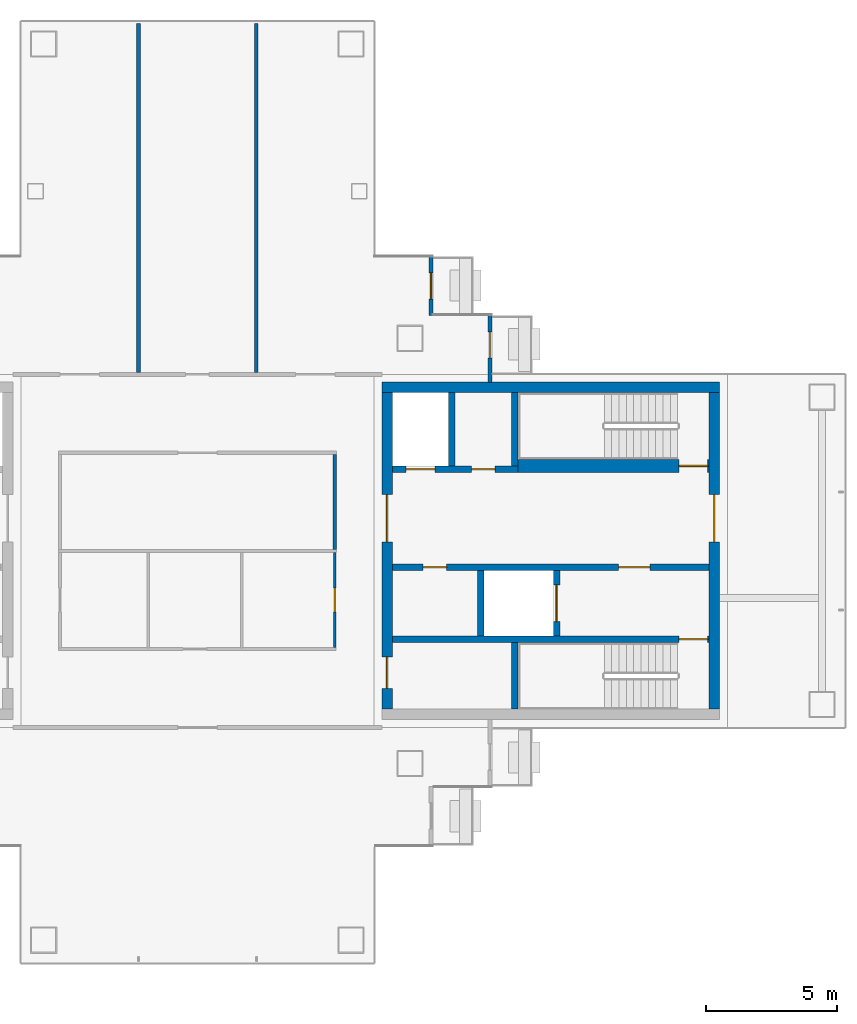
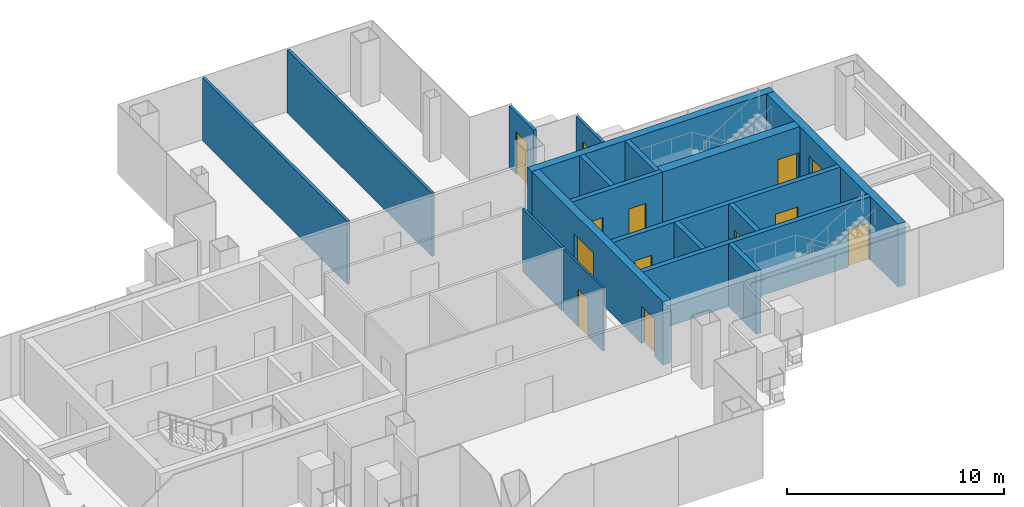
# One storey, part 12 of 16: 18 walls, 13 doors, 13 openings.
"""IFC4 building model written with IfcOpenShell, lengths in metres."""

from ifc_helpers import new_model, si_unit, direction, frame, frame_2d, origin, place, context, subcontext, project, spatial, rectangle, extrude, material, layer, layer_set, type_object, element, fill, save


model = new_model("IFC4")

# Units and contexts
model_context = context("Model", 3, precision=1e-05, world=origin(), true_north=direction((0.0, 1.0)))
body_context = subcontext(model_context, "Body", "Model", "MODEL_VIEW")
ifc_project = project(units=[si_unit("LENGTHUNIT", "METRE"), si_unit("AREAUNIT", "SQUARE_METRE"), si_unit("VOLUMEUNIT", "CUBIC_METRE"), si_unit("PLANEANGLEUNIT", "RADIAN"), si_unit("MASSUNIT", "GRAM", prefix="KILO")], contexts=[model_context])

# Site, building, storey
site_placement = place(None, origin())
site = spatial("IfcSite", under=ifc_project, at=site_placement, CompositionType="ELEMENT")
building_placement = place(site_placement, origin())
building = spatial("IfcBuilding", under=site, at=building_placement, Name="Shamsa Quay Exchange Towers", CompositionType="ELEMENT")
storey_placement = place(building_placement, frame((0.0, 0.0, 190.5)))
storey = spatial("IfcBuildingStorey", under=building, at=storey_placement, Name="L45", CompositionType="ELEMENT", Elevation=190.5)

# Wall, opening, door
ifc_material_1 = material(Name="Aluminium EN AW-6063 T6, black anodised, with black enamelled glass infill", Category="aluminium")
ifc_layer_1 = layer(ifc_material_1, 0.14990234375)
ifc_layer_set_1 = layer_set([ifc_layer_1], Name="BALCONY DOOR BAY WALL 150")
wall_type_1 = type_object("IfcWallType", Name="BALCONY DOOR BAY WALL 150", PredefinedType="SOLIDWALL", material=ifc_layer_set_1)
wall_1_placement = place(storey_placement, frame((42.675048828125, 11.25, 0.0), z_axis=(0.0, 0.0, 1.0), x_axis=(0.0, -1.0, 0.0)))
wall_1 = element("IfcWall", 1, at=wall_1_placement, inside=storey, type_object=wall_type_1, Name="Door bay T2-PKES L45", PredefinedType="SOLIDWALL", context=body_context, shape_type="SweptSolid", body=[
    extrude(rectangle(XDim=2.25, YDim=0.14990234375, at=frame_2d((1.125, 0.0))), origin(), (0.0, 0.0, 1.0), 3.449951171875),
])
opening_1_placement = place(wall_1_placement, frame((0.625, 0.0, 0.0)))
opening_1 = element("IfcOpeningElement", 2, at=opening_1_placement, cuts=wall_1, Name="Opening XD291", PredefinedType="OPENING", context=body_context, shape_type="SweptSolid", body=[
    extrude(rectangle(XDim=1.0, YDim=2.39990234375, at=frame_2d((0.5, 1.199951171875))), frame((0.0, 0.0849609375, 0.0), z_axis=(0.0, -1.0, 0.0), x_axis=(1.0, 0.0, 0.0)), (0.0, 0.0, 1.0), 0.169921875),
])
ifc_material_2 = material(Name="Aluminium EN AW-6063 T6, black anodised, with laminated glass leaf", Category="aluminium")
door_type_1 = type_object("IfcDoorType", Name="BALCONY DOOR 1000x2400", OperationType="SINGLE_SWING_LEFT", PredefinedType="DOOR", material=ifc_material_2)
door_1_placement = place(opening_1_placement, origin())
door_1 = element("IfcDoor", 3, at=door_1_placement, inside=storey, type_object=door_type_1, Name="Balcony door T2-PKES L45", OperationType="SINGLE_SWING_RIGHT", OverallHeight=2.39990234375, OverallWidth=1.0, PredefinedType="DOOR", context=body_context, shape_type="SweptSolid", body=[
    extrude(rectangle(XDim=1.0, YDim=2.39990234375, at=frame_2d((0.5, 1.199951171875))), frame((0.0, 0.02490234375, 0.0), z_axis=(0.0, -1.0, 0.0), x_axis=(1.0, 0.0, 0.0)), (0.0, 0.0, 1.0), 0.050048828125),
])
fill(opening_1, door_1)

wall_2_placement = place(storey_placement, frame((44.925048828125, 9.0, 0.0), z_axis=(0.0, 0.0, 1.0), x_axis=(0.0, -1.0, 0.0)))
wall_2 = element("IfcWall", 4, at=wall_2_placement, inside=storey, type_object=wall_type_1, Name="Door bay T2-PKES L45", PredefinedType="SOLIDWALL", context=body_context, shape_type="SweptSolid", body=[
    extrude(rectangle(XDim=2.556884765625, YDim=0.14990234375, at=frame_2d((1.2783203125, 0.0))), origin(), (0.0, 0.0, 1.0), 3.449951171875),
])
opening_2_placement = place(wall_2_placement, frame((0.625, 0.0, 0.0)))
opening_2 = element("IfcOpeningElement", 5, at=opening_2_placement, cuts=wall_2, Name="Opening XD292", PredefinedType="OPENING", context=body_context, shape_type="SweptSolid", body=[
    extrude(rectangle(XDim=1.0, YDim=2.39990234375, at=frame_2d((0.5, 1.199951171875))), frame((0.0, 0.0849609375, 0.0), z_axis=(0.0, -1.0, 0.0), x_axis=(1.0, 0.0, 0.0)), (0.0, 0.0, 1.0), 0.169921875),
])
door_2_placement = place(opening_2_placement, origin())
door_2 = element("IfcDoor", 6, at=door_2_placement, inside=storey, type_object=door_type_1, Name="Balcony door T2-PKES L45", OperationType="SINGLE_SWING_LEFT", OverallHeight=2.39990234375, OverallWidth=1.0, PredefinedType="DOOR", context=body_context, shape_type="SweptSolid", body=[
    extrude(rectangle(XDim=1.0, YDim=2.39990234375, at=frame_2d((0.5, 1.199951171875))), frame((0.0, 0.02490234375, 0.0), z_axis=(0.0, -1.0, 0.0), x_axis=(1.0, 0.0, 0.0)), (0.0, 0.0, 1.0), 0.050048828125),
])
fill(opening_2, door_2)

# Wall
ifc_material_3 = material(Name="Concrete C60/75", Category="concrete")
ifc_layer_2 = layer(ifc_material_3, 0.39990234375)
ifc_layer_set_2 = layer_set([ifc_layer_2], Name="CORE WALL 400 C60/75")
wall_type_2 = type_object("IfcWallType", Name="CORE WALL 400 C60/75", PredefinedType="SHEAR", material=ifc_layer_set_2)
wall_3_placement = place(storey_placement, frame((53.699951171875, 6.25, 0.0), z_axis=(0.0, 0.0, 1.0), x_axis=(-1.0, 0.0, 0.0)))
element("IfcWall", 7, at=wall_3_placement, inside=storey, type_object=wall_type_2, Name="Core wall T2B-R20-PN", PredefinedType="SHEAR", context=body_context, shape_type="SweptSolid", body=[
    extrude(rectangle(XDim=12.89990234375, YDim=0.39990234375, at=frame_2d((6.449951171875, 0.0))), origin(), (0.0, 0.0, 1.0), 3.550048828125),
])

# Wall, opening, door
wall_4_placement = place(storey_placement, frame((53.5, -6.050048828125, 0.0), z_axis=(0.0, 0.0, 1.0), x_axis=(0.0, 1.0, 0.0)))
wall_4 = element("IfcWall", 8, at=wall_4_placement, inside=storey, type_object=wall_type_2, Name="Core wall T2B-R20-PF", PredefinedType="SHEAR", context=body_context, shape_type="SweptSolid", body=[
    extrude(rectangle(XDim=12.10009765625, YDim=0.39990234375, at=frame_2d((6.050048828125, 0.0))), origin(), (0.0, 0.0, 1.0), 3.550048828125),
])
opening_3_placement = place(wall_4_placement, frame((6.39990234375, 0.0, 0.0)))
opening_3 = element("IfcOpeningElement", 9, at=opening_3_placement, cuts=wall_4, Name="Opening T2B-R20-LBD01", PredefinedType="OPENING", context=body_context, shape_type="SweptSolid", body=[
    extrude(rectangle(XDim=1.800048828125, YDim=2.39990234375, at=frame_2d((0.89990234375, 1.199951171875))), frame((0.0, 0.2099609375, 0.0), z_axis=(0.0, -1.0, 0.0), x_axis=(1.0, 0.0, 0.0)), (0.0, 0.0, 1.0), 0.419921875),
])
ifc_material_4 = material(Name="Steel, fire rated", Category="steel")
door_type_2 = type_object("IfcDoorType", Name="LIFT LOBBY DOOR PAIR 1800", OperationType="DOUBLE_DOOR_SINGLE_SWING", PredefinedType="DOOR", material=ifc_material_4)
door_3_placement = place(opening_3_placement, origin())
door_3 = element("IfcDoor", 10, at=door_3_placement, inside=storey, type_object=door_type_2, Name="T2B-R20-LBD01", OperationType="DOUBLE_DOOR_SINGLE_SWING", OverallHeight=2.39990234375, OverallWidth=1.800048828125, PredefinedType="DOOR", context=body_context, shape_type="SweptSolid", body=[
    extrude(rectangle(XDim=1.800048828125, YDim=2.39990234375, at=frame_2d((0.89990234375, 1.199951171875))), frame((0.0, 0.02490234375, 0.0), z_axis=(0.0, -1.0, 0.0), x_axis=(1.0, 0.0, 0.0)), (0.0, 0.0, 1.0), 0.050048828125),
])
fill(opening_3, door_3)

# Wall, openings, doors
wall_5_placement = place(storey_placement, frame((41.0, -6.050048828125, 0.0), z_axis=(0.0, 0.0, 1.0), x_axis=(0.0, 1.0, 0.0)))
wall_5 = element("IfcWall", 11, at=wall_5_placement, inside=storey, type_object=wall_type_2, Name="Core wall T2B-R20-PB", PredefinedType="SHEAR", context=body_context, shape_type="SweptSolid", body=[
    extrude(rectangle(XDim=12.10009765625, YDim=0.39990234375, at=frame_2d((6.050048828125, 0.0))), origin(), (0.0, 0.0, 1.0), 3.550048828125),
])
opening_4_placement = place(wall_5_placement, frame((0.800048828125, 0.0, 0.0)))
opening_4 = element("IfcOpeningElement", 12, at=opening_4_placement, cuts=wall_5, Name="Opening T2B-R20-RD02", PredefinedType="OPENING", context=body_context, shape_type="SweptSolid", body=[
    extrude(rectangle(XDim=1.199951171875, YDim=2.10009765625, at=frame_2d((0.60009765625, 1.050048828125))), frame((0.0, 0.2099609375, 0.0), z_axis=(0.0, -1.0, 0.0), x_axis=(1.0, 0.0, 0.0)), (0.0, 0.0, 1.0), 0.419921875),
])
opening_5_placement = place(wall_5_placement, frame((6.39990234375, 0.0, 0.0)))
opening_5 = element("IfcOpeningElement", 13, at=opening_5_placement, cuts=wall_5, Name="Opening T2B-R20-LBD03", PredefinedType="OPENING", context=body_context, shape_type="SweptSolid", body=[
    extrude(rectangle(XDim=1.800048828125, YDim=2.39990234375, at=frame_2d((0.89990234375, 1.199951171875))), frame((0.0, 0.2099609375, 0.0), z_axis=(0.0, -1.0, 0.0), x_axis=(1.0, 0.0, 0.0)), (0.0, 0.0, 1.0), 0.419921875),
])
door_4_placement = place(opening_5_placement, origin())
door_4 = element("IfcDoor", 14, at=door_4_placement, inside=storey, type_object=door_type_2, Name="T2B-R20-LBD03", OperationType="DOUBLE_DOOR_SINGLE_SWING", OverallHeight=2.39990234375, OverallWidth=1.800048828125, PredefinedType="DOOR", context=body_context, shape_type="SweptSolid", body=[
    extrude(rectangle(XDim=1.800048828125, YDim=2.39990234375, at=frame_2d((0.89990234375, 1.199951171875))), frame((0.0, 0.02490234375, 0.0), z_axis=(0.0, -1.0, 0.0), x_axis=(1.0, 0.0, 0.0)), (0.0, 0.0, 1.0), 0.050048828125),
])
fill(opening_5, door_4)
door_type_3 = type_object("IfcDoorType", Name="RISER ACCESS DOOR 1200", OperationType="SINGLE_SWING_LEFT", PredefinedType="DOOR", material=ifc_material_4)
door_5_placement = place(opening_4_placement, origin())
door_5 = element("IfcDoor", 15, at=door_5_placement, inside=storey, type_object=door_type_3, Name="T2B-R20-RD02", OperationType="SINGLE_SWING_LEFT", OverallHeight=2.10009765625, OverallWidth=1.199951171875, PredefinedType="DOOR", context=body_context, shape_type="SweptSolid", body=[
    extrude(rectangle(XDim=1.199951171875, YDim=2.10009765625, at=frame_2d((0.60009765625, 1.050048828125))), frame((0.0, 0.02490234375, 0.0), z_axis=(0.0, -1.0, 0.0), x_axis=(1.0, 0.0, 0.0)), (0.0, 0.0, 1.0), 0.050048828125),
])
fill(opening_4, door_5)

# Wall
ifc_material_5 = material(Name="Laminated fire-resisting glass in a metal frame", Category="glass")
ifc_layer_3 = layer(ifc_material_5, 0.125)
ifc_layer_set_3 = layer_set([ifc_layer_3], Name="Glazed partition 125 mm EI 60")
wall_type_3 = type_object("IfcWallType", Name="Glazed partition 125 mm EI 60", PredefinedType="PARTITIONING", material=ifc_layer_set_3)
wall_6_placement = place(storey_placement, frame((39.0, 0.0625, 0.0), z_axis=(0.0, 0.0, 1.0), x_axis=(0.0, 1.0, 0.0)))
element("IfcWall", 16, at=wall_6_placement, inside=storey, type_object=wall_type_3, Name="Partition T2-R20-W04", PredefinedType="PARTITIONING", context=body_context, shape_type="SweptSolid", body=[
    extrude(rectangle(XDim=3.625, YDim=0.125, at=frame_2d((1.8125, 0.0))), origin(), (0.0, 0.0, 1.0), 3.550048828125),
])

# Wall, opening, door
ifc_material_6 = material(Name="Gypsum board partition on metal studs")
ifc_layer_4 = layer(ifc_material_6, 0.10009765625)
ifc_layer_set_4 = layer_set([ifc_layer_4], Name="Partition 100 mm NOT RATED")
wall_type_4 = type_object("IfcWallType", Name="Partition 100 mm NOT RATED", PredefinedType="PARTITIONING", material=ifc_layer_set_4)
wall_7_placement = place(storey_placement, frame((39.0, -3.699951171875, 0.0), z_axis=(0.0, 0.0, 1.0), x_axis=(0.0, 1.0, 0.0)))
wall_7 = element("IfcWall", 17, at=wall_7_placement, inside=storey, type_object=wall_type_4, Name="Partition T2-R20-W01", PredefinedType="PARTITIONING", context=body_context, shape_type="SweptSolid", body=[
    extrude(rectangle(XDim=3.637451171875, YDim=0.10009765625, at=frame_2d((1.81884765625, 0.0))), origin(), (0.0, 0.0, 1.0), 3.550048828125),
])
opening_6_placement = place(wall_7_placement, frame((1.375, 0.0, 0.0)))
opening_6 = element("IfcOpeningElement", 18, at=opening_6_placement, cuts=wall_7, Name="Opening T2-R20-D05", PredefinedType="OPENING", context=body_context, shape_type="SweptSolid", body=[
    extrude(rectangle(XDim=0.89990234375, YDim=2.10009765625, at=frame_2d((0.449951171875, 1.050048828125))), frame((0.0, 0.06005859375, 0.0), z_axis=(0.0, -1.0, 0.0), x_axis=(1.0, 0.0, 0.0)), (0.0, 0.0, 1.0), 0.1201171875),
])
ifc_material_7 = material(Name="Timber door leaf in a metal frame", Category="wood")
door_type_4 = type_object("IfcDoorType", Name="Door 900x2100 NOT RATED", OperationType="NOTDEFINED", PredefinedType="DOOR", material=ifc_material_7)
door_6_placement = place(opening_6_placement, origin())
door_6 = element("IfcDoor", 19, at=door_6_placement, inside=storey, type_object=door_type_4, Name="Door T2-R20-D05", OperationType="SINGLE_SWING_RIGHT", OverallHeight=2.10009765625, OverallWidth=0.89990234375, PredefinedType="DOOR", context=body_context, shape_type="SweptSolid", body=[
    extrude(rectangle(XDim=0.89990234375, YDim=2.10009765625, at=frame_2d((0.449951171875, 1.050048828125))), frame((0.0, 0.02490234375, 0.0), z_axis=(0.0, -1.0, 0.0), x_axis=(1.0, 0.0, 0.0)), (0.0, 0.0, 1.0), 0.050048828125),
])
fill(opening_6, door_6)

# Walls
ifc_layer_5 = layer(ifc_material_6, 0.14990234375)
ifc_layer_set_5 = layer_set([ifc_layer_5], Name="Partition 150 mm EI 60")
wall_type_5 = type_object("IfcWallType", Name="Partition 150 mm EI 60", PredefinedType="PARTITIONING", material=ifc_layer_set_5)
for number, where, z_axis, x_axis, name in (
    (20, (36.0, 20.155029296875, 0.0), (0.0, 0.0, 1.0), (0.0, -1.0, 0.0), "Partition T2-R20-W12"),
    (21, (31.5, 20.155029296875, 0.0), (0.0, 0.0, 1.0), (0.0, -1.0, 0.0), "Partition T2-R20-W13"),
):
    element("IfcWall", number, at=place(storey_placement, frame(where, z_axis=z_axis, x_axis=x_axis)), inside=storey, type_object=wall_type_5, Name=name, PredefinedType="PARTITIONING", context=body_context, shape_type="SweptSolid", body=[
        extrude(rectangle(XDim=13.330078125, YDim=0.14990234375, at=frame_2d((6.6650390625, 0.0))), origin(), (0.0, 0.0, 1.0), 3.550048828125),
    ])

# Wall, opening, door
ifc_material_8 = material(Name="Concrete C50/60", Category="concrete")
ifc_layer_6 = layer(ifc_material_8, 0.25)
ifc_layer_set_6 = layer_set([ifc_layer_6], Name="SHAFT WALL 250 C50/60")
wall_type_6 = type_object("IfcWallType", Name="SHAFT WALL 250 C50/60", PredefinedType="SHEAR", material=ifc_layer_set_6)
wall_8_placement = place(storey_placement, frame((53.300048828125, -3.375, 0.0), z_axis=(0.0, 0.0, 1.0), x_axis=(-1.0, 0.0, 0.0)))
wall_8 = element("IfcWall", 22, at=wall_8_placement, inside=storey, type_object=wall_type_6, Name="Shaft wall T2B-R20-STL", PredefinedType="SHEAR", context=body_context, shape_type="SweptSolid", body=[
    extrude(rectangle(XDim=12.10009765625, YDim=0.25, at=frame_2d((6.050048828125, 0.0))), origin(), (0.0, 0.0, 1.0), 3.550048828125),
])
opening_7_placement = place(wall_8_placement, frame((0.050048828125, 0.0, 0.0)))
opening_7 = element("IfcOpeningElement", 23, at=opening_7_placement, cuts=wall_8, Name="Opening T2B-R20-SD04", PredefinedType="OPENING", context=body_context, shape_type="SweptSolid", body=[
    extrude(rectangle(XDim=1.10009765625, YDim=2.10009765625, at=frame_2d((0.550048828125, 1.050048828125))), frame((0.0, 0.135009765625, 0.0), z_axis=(0.0, -1.0, 0.0), x_axis=(1.0, 0.0, 0.0)), (0.0, 0.0, 1.0), 0.27001953125),
])
door_type_5 = type_object("IfcDoorType", Name="STAIR DOOR 1100", OperationType="SINGLE_SWING_LEFT", PredefinedType="DOOR", material=ifc_material_4)
door_7_placement = place(opening_7_placement, origin())
door_7 = element("IfcDoor", 24, at=door_7_placement, inside=storey, type_object=door_type_5, Name="T2B-R20-SD04", OperationType="SINGLE_SWING_LEFT", OverallHeight=2.10009765625, OverallWidth=1.10009765625, PredefinedType="DOOR", context=body_context, shape_type="SweptSolid", body=[
    extrude(rectangle(XDim=1.10009765625, YDim=2.10009765625, at=frame_2d((0.550048828125, 1.050048828125))), frame((0.0, 0.02490234375, 0.0), z_axis=(0.0, -1.0, 0.0), x_axis=(1.0, 0.0, 0.0)), (0.0, 0.0, 1.0), 0.050048828125),
])
fill(opening_7, door_7)

# Wall
wall_9_placement = place(storey_placement, frame((45.875, -6.050048828125, 0.0), z_axis=(0.0, 0.0, 1.0), x_axis=(0.0, 1.0, 0.0)))
element("IfcWall", 25, at=wall_9_placement, inside=storey, type_object=wall_type_6, Name="Shaft wall T2B-R20-STF", PredefinedType="SHEAR", context=body_context, shape_type="SweptSolid", body=[
    extrude(rectangle(XDim=2.550048828125, YDim=0.25, at=frame_2d((1.27490234375, 0.0))), origin(), (0.0, 0.0, 1.0), 3.550048828125),
])

# Wall, openings, doors
wall_10_placement = place(storey_placement, frame((53.300048828125, -0.625, 0.0), z_axis=(0.0, 0.0, 1.0), x_axis=(-1.0, 0.0, 0.0)))
wall_10 = element("IfcWall", 26, at=wall_10_placement, inside=storey, type_object=wall_type_6, Name="Shaft wall T2B-R20-B", PredefinedType="SHEAR", context=body_context, shape_type="SweptSolid", body=[
    extrude(rectangle(XDim=12.10009765625, YDim=0.25, at=frame_2d((6.050048828125, 0.0))), origin(), (0.0, 0.0, 1.0), 3.550048828125),
])
opening_8_placement = place(wall_10_placement, frame((2.25, 0.0, 0.0)))
opening_8 = element("IfcOpeningElement", 27, at=opening_8_placement, cuts=wall_10, Name="Opening T2B-R20-FD05", PredefinedType="OPENING", context=body_context, shape_type="SweptSolid", body=[
    extrude(rectangle(XDim=1.199951171875, YDim=2.10009765625, at=frame_2d((0.60009765625, 1.050048828125))), frame((0.0, 0.135009765625, 0.0), z_axis=(0.0, -1.0, 0.0), x_axis=(1.0, 0.0, 0.0)), (0.0, 0.0, 1.0), 0.27001953125),
])
opening_9_placement = place(wall_10_placement, frame((10.02490234375, 0.0, 0.0)))
opening_9 = element("IfcOpeningElement", 28, at=opening_9_placement, cuts=wall_10, Name="Opening T2B-R20-SV06", PredefinedType="OPENING", context=body_context, shape_type="SweptSolid", body=[
    extrude(rectangle(XDim=0.89990234375, YDim=2.10009765625, at=frame_2d((0.449951171875, 1.050048828125))), frame((0.0, 0.135009765625, 0.0), z_axis=(0.0, -1.0, 0.0), x_axis=(1.0, 0.0, 0.0)), (0.0, 0.0, 1.0), 0.27001953125),
])
door_type_6 = type_object("IfcDoorType", Name="FIRE SERVICE LOBBY DOOR 1200", OperationType="SINGLE_SWING_LEFT", PredefinedType="DOOR", material=ifc_material_4)
door_8_placement = place(opening_8_placement, origin())
door_8 = element("IfcDoor", 29, at=door_8_placement, inside=storey, type_object=door_type_6, Name="T2B-R20-FD05", OperationType="SINGLE_SWING_LEFT", OverallHeight=2.10009765625, OverallWidth=1.199951171875, PredefinedType="DOOR", context=body_context, shape_type="SweptSolid", body=[
    extrude(rectangle(XDim=1.199951171875, YDim=2.10009765625, at=frame_2d((0.60009765625, 1.050048828125))), frame((0.0, 0.02490234375, 0.0), z_axis=(0.0, -1.0, 0.0), x_axis=(1.0, 0.0, 0.0)), (0.0, 0.0, 1.0), 0.050048828125),
])
fill(opening_8, door_8)
door_type_7 = type_object("IfcDoorType", Name="SERVICE ROOM DOOR 900", OperationType="SINGLE_SWING_LEFT", PredefinedType="DOOR", material=ifc_material_4)
door_9_placement = place(opening_9_placement, origin())
door_9 = element("IfcDoor", 30, at=door_9_placement, inside=storey, type_object=door_type_7, Name="T2B-R20-SV06", OperationType="SINGLE_SWING_RIGHT", OverallHeight=2.10009765625, OverallWidth=0.89990234375, PredefinedType="DOOR", context=body_context, shape_type="SweptSolid", body=[
    extrude(rectangle(XDim=0.89990234375, YDim=2.10009765625, at=frame_2d((0.449951171875, 1.050048828125))), frame((0.0, 0.02490234375, 0.0), z_axis=(0.0, -1.0, 0.0), x_axis=(1.0, 0.0, 0.0)), (0.0, 0.0, 1.0), 0.050048828125),
])
fill(opening_9, door_9)

# Wall, opening, door
wall_11_placement = place(storey_placement, frame((47.47509765625, -3.25, 0.0), z_axis=(0.0, 0.0, 1.0), x_axis=(0.0, 1.0, 0.0)))
wall_11 = element("IfcWall", 31, at=wall_11_placement, inside=storey, type_object=wall_type_6, Name="Shaft wall T2B-R20-FFF", PredefinedType="SHEAR", context=body_context, shape_type="SweptSolid", body=[
    extrude(rectangle(XDim=2.5, YDim=0.25, at=frame_2d((1.25, 0.0))), origin(), (0.0, 0.0, 1.0), 3.550048828125),
])
opening_10_placement = place(wall_11_placement, frame((0.550048828125, 0.0, 0.0)))
opening_10 = element("IfcOpeningElement", 32, at=opening_10_placement, cuts=wall_11, Name="Opening T2B-R20-LDG07", PredefinedType="OPENING", context=body_context, shape_type="SweptSolid", body=[
    extrude(rectangle(XDim=1.39990234375, YDim=2.39990234375, at=frame_2d((0.699951171875, 1.199951171875))), frame((0.0, 0.135009765625, 0.0), z_axis=(0.0, -1.0, 0.0), x_axis=(1.0, 0.0, 0.0)), (0.0, 0.0, 1.0), 0.27001953125),
])
door_type_8 = type_object("IfcDoorType", Name="GOODS LIFT LANDING DOOR 1400", OperationType="SLIDING_TO_LEFT", PredefinedType="DOOR", material=ifc_material_4)
door_10_placement = place(opening_10_placement, origin())
door_10 = element("IfcDoor", 33, at=door_10_placement, inside=storey, type_object=door_type_8, Name="T2B-R20-LDG07", OperationType="SLIDING_TO_LEFT", OverallHeight=2.39990234375, OverallWidth=1.39990234375, PredefinedType="DOOR", context=body_context, shape_type="SweptSolid", body=[
    extrude(rectangle(XDim=1.39990234375, YDim=2.39990234375, at=frame_2d((0.699951171875, 1.199951171875))), frame((0.0, 0.02490234375, 0.0), z_axis=(0.0, -1.0, 0.0), x_axis=(1.0, 0.0, 0.0)), (0.0, 0.0, 1.0), 0.050048828125),
])
fill(opening_10, door_10)

# Wall
wall_12_placement = place(storey_placement, frame((44.574951171875, -3.25, 0.0), z_axis=(0.0, 0.0, 1.0), x_axis=(0.0, 1.0, 0.0)))
element("IfcWall", 34, at=wall_12_placement, inside=storey, type_object=wall_type_6, Name="Shaft wall T2B-R20-FFB", PredefinedType="SHEAR", context=body_context, shape_type="SweptSolid", body=[
    extrude(rectangle(XDim=2.5, YDim=0.25, at=frame_2d((1.25, 0.0))), origin(), (0.0, 0.0, 1.0), 3.550048828125),
])

# Wall, openings, doors
wall_13_placement = place(storey_placement, frame((41.199951171875, 3.125, 0.0)))
wall_13 = element("IfcWall", 35, at=wall_13_placement, inside=storey, type_object=wall_type_6, Name="Shaft wall T2B-R20-N2", PredefinedType="SHEAR", context=body_context, shape_type="SweptSolid", body=[
    extrude(rectangle(XDim=4.800048828125, YDim=0.25, at=frame_2d((2.39990234375, 0.0))), origin(), (0.0, 0.0, 1.0), 3.550048828125),
])
opening_11_placement = place(wall_13_placement, frame((0.52490234375, 0.0, 0.0)))
opening_11 = element("IfcOpeningElement", 36, at=opening_11_placement, cuts=wall_13, Name="Opening T2B-R20-LD09", PredefinedType="OPENING", context=body_context, shape_type="SweptSolid", body=[
    extrude(rectangle(XDim=1.10009765625, YDim=2.10009765625, at=frame_2d((0.550048828125, 1.050048828125))), frame((0.0, 0.135009765625, 0.0), z_axis=(0.0, -1.0, 0.0), x_axis=(1.0, 0.0, 0.0)), (0.0, 0.0, 1.0), 0.27001953125),
])
opening_12_placement = place(wall_13_placement, frame((3.02490234375, 0.0, 0.0)))
opening_12 = element("IfcOpeningElement", 37, at=opening_12_placement, cuts=wall_13, Name="Opening T2B-R20-SV10", PredefinedType="OPENING", context=body_context, shape_type="SweptSolid", body=[
    extrude(rectangle(XDim=0.89990234375, YDim=2.10009765625, at=frame_2d((0.449951171875, 1.050048828125))), frame((0.0, 0.135009765625, 0.0), z_axis=(0.0, -1.0, 0.0), x_axis=(1.0, 0.0, 0.0)), (0.0, 0.0, 1.0), 0.27001953125),
])
door_type_9 = type_object("IfcDoorType", Name="LANDING DOOR 1100", OperationType="SLIDING_TO_LEFT", PredefinedType="DOOR", material=ifc_material_4)
door_11_placement = place(opening_11_placement, origin())
door_11 = element("IfcDoor", 38, at=door_11_placement, inside=storey, type_object=door_type_9, Name="T2B-R20-LD09", OperationType="SLIDING_TO_LEFT", OverallHeight=2.10009765625, OverallWidth=1.10009765625, PredefinedType="DOOR", context=body_context, shape_type="SweptSolid", body=[
    extrude(rectangle(XDim=1.10009765625, YDim=2.10009765625, at=frame_2d((0.550048828125, 1.050048828125))), frame((0.0, 0.02490234375, 0.0), z_axis=(0.0, -1.0, 0.0), x_axis=(1.0, 0.0, 0.0)), (0.0, 0.0, 1.0), 0.050048828125),
])
fill(opening_11, door_11)
door_12_placement = place(opening_12_placement, origin())
door_12 = element("IfcDoor", 39, at=door_12_placement, inside=storey, type_object=door_type_7, Name="T2B-R20-SV10", OperationType="SINGLE_SWING_RIGHT", OverallHeight=2.10009765625, OverallWidth=0.89990234375, PredefinedType="DOOR", context=body_context, shape_type="SweptSolid", body=[
    extrude(rectangle(XDim=0.89990234375, YDim=2.10009765625, at=frame_2d((0.449951171875, 1.050048828125))), frame((0.0, 0.02490234375, 0.0), z_axis=(0.0, -1.0, 0.0), x_axis=(1.0, 0.0, 0.0)), (0.0, 0.0, 1.0), 0.050048828125),
])
fill(opening_12, door_12)

# Walls
for number, where, z_axis, x_axis, name in (
    (40, (45.875, 3.25, 0.0), (0.0, 0.0, 1.0), (0.0, 1.0, 0.0), "Shaft wall T2B-R20-STF2"),
    (41, (43.47509765625, 3.25, 0.0), (0.0, 0.0, 1.0), (0.0, 1.0, 0.0), "Shaft wall T2B-R20-D0"),
):
    element("IfcWall", number, at=place(storey_placement, frame(where, z_axis=z_axis, x_axis=x_axis)), inside=storey, type_object=wall_type_6, Name=name, PredefinedType="SHEAR", context=body_context, shape_type="SweptSolid", body=[
        extrude(rectangle(XDim=2.800048828125, YDim=0.25, at=frame_2d((1.39990234375, 0.0))), origin(), (0.0, 0.0, 1.0), 3.550048828125),
    ])

# Wall, opening, door
ifc_layer_7 = layer(ifc_material_8, 0.5)
ifc_layer_set_7 = layer_set([ifc_layer_7], Name="SHAFT WALL 500 C50/60")
wall_type_7 = type_object("IfcWallType", Name="SHAFT WALL 500 C50/60", PredefinedType="SHEAR", material=ifc_layer_set_7)
wall_14_placement = place(storey_placement, frame((46.0, 3.25, 0.0)))
wall_14 = element("IfcWall", 42, at=wall_14_placement, inside=storey, type_object=wall_type_7, Name="Shaft wall T2B-R20-N", PredefinedType="SHEAR", context=body_context, shape_type="SweptSolid", body=[
    extrude(rectangle(XDim=7.300048828125, YDim=0.5, at=frame_2d((3.64990234375, 0.0))), origin(), (0.0, 0.0, 1.0), 3.550048828125),
])
opening_13_placement = place(wall_14_placement, frame((6.14990234375, 0.0, 0.0)))
opening_13 = element("IfcOpeningElement", 43, at=opening_13_placement, cuts=wall_14, Name="Opening T2B-R20-SD08", PredefinedType="OPENING", context=body_context, shape_type="SweptSolid", body=[
    extrude(rectangle(XDim=1.10009765625, YDim=2.10009765625, at=frame_2d((0.550048828125, 1.050048828125))), frame((0.0, 0.260009765625, 0.0), z_axis=(0.0, -1.0, 0.0), x_axis=(1.0, 0.0, 0.0)), (0.0, 0.0, 1.0), 0.52001953125),
])
door_13_placement = place(opening_13_placement, origin())
door_13 = element("IfcDoor", 44, at=door_13_placement, inside=storey, type_object=door_type_5, Name="T2B-R20-SD08", OperationType="SINGLE_SWING_RIGHT", OverallHeight=2.10009765625, OverallWidth=1.10009765625, PredefinedType="DOOR", context=body_context, shape_type="SweptSolid", body=[
    extrude(rectangle(XDim=1.10009765625, YDim=2.10009765625, at=frame_2d((0.550048828125, 1.050048828125))), frame((0.0, 0.02490234375, 0.0), z_axis=(0.0, -1.0, 0.0), x_axis=(1.0, 0.0, 0.0)), (0.0, 0.0, 1.0), 0.050048828125),
])
fill(opening_13, door_13)

save(model, "model.ifc")
